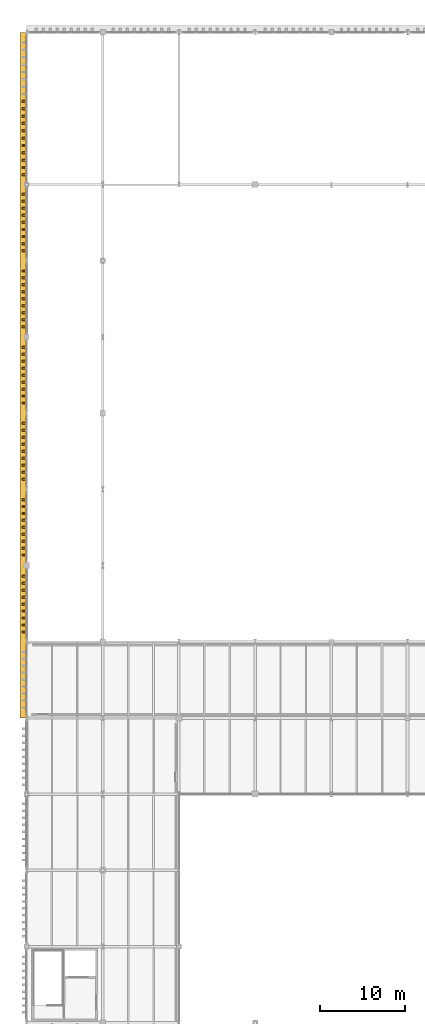
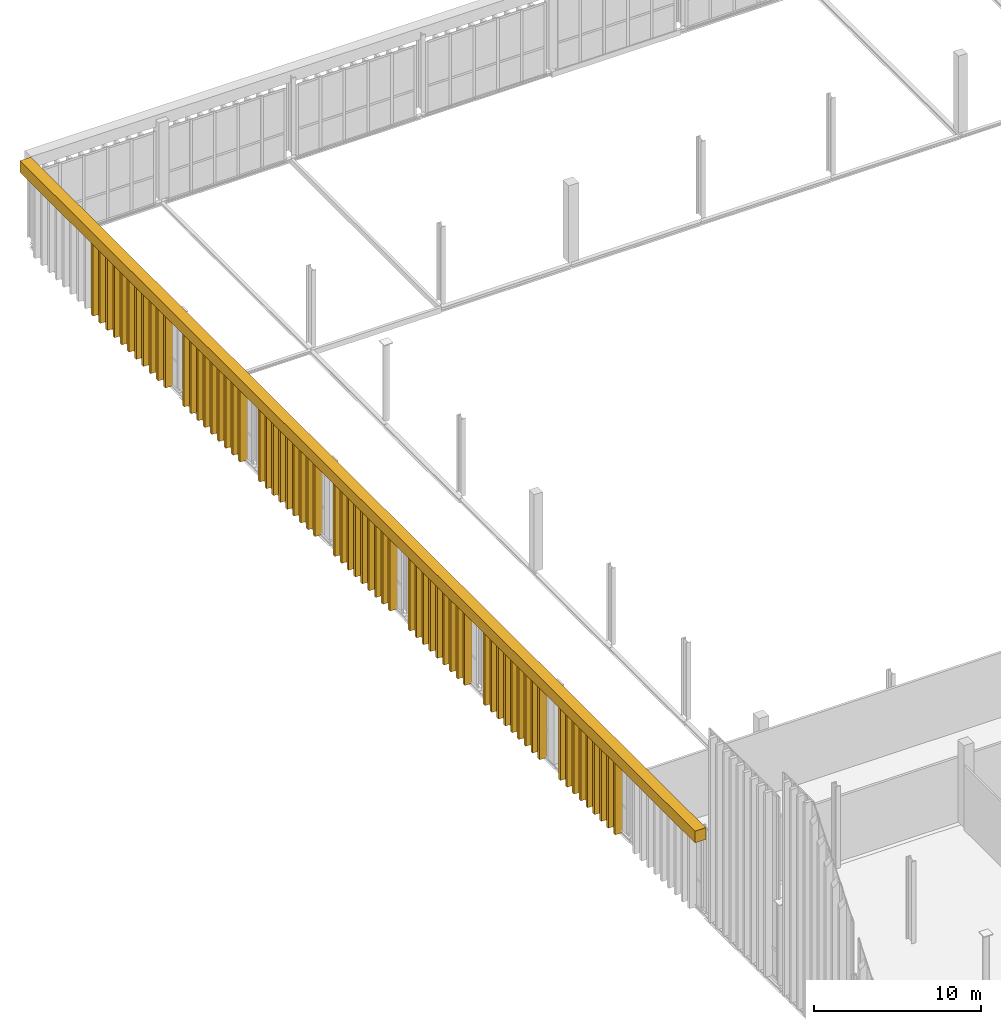
# One storey, part 222 of 237: 65 shading devices, 1 covering.
"""IFC4 building model written with IfcOpenShell, lengths in metres."""

from ifc_helpers import new_model, si_unit, direction, frame, origin, origin_2d, place, context, subcontext, project, spatial, rectangle, extrude, material, layer, layer_set, type_object, element, save


model = new_model("IFC4")

# Units and contexts
model_context = context("Model", 3, precision=1e-05, world=origin(), true_north=direction((0.0, 1.0)))
body_context = subcontext(model_context, "Body", "Model", "MODEL_VIEW")
ifc_project = project(units=[si_unit("LENGTHUNIT", "METRE"), si_unit("AREAUNIT", "SQUARE_METRE"), si_unit("VOLUMEUNIT", "CUBIC_METRE"), si_unit("PLANEANGLEUNIT", "RADIAN"), si_unit("MASSUNIT", "GRAM", prefix="KILO")], contexts=[model_context])

# Site, building, storey
site_placement = place(None, origin())
site = spatial("IfcSite", under=ifc_project, at=site_placement, CompositionType="ELEMENT")
building_placement = place(site_placement, origin())
building = spatial("IfcBuilding", under=site, at=building_placement, Name="Barlavento Convention Centre", CompositionType="ELEMENT")
storey_placement = place(building_placement, frame((0.0, 0.0, 12.0)))
storey = spatial("IfcBuildingStorey", under=building, at=storey_placement, Name="L02", CompositionType="ELEMENT", Elevation=12.0)

# Covering
ifc_material_1 = material(Name="Macau dark grey granite cladding", Category="masonry")
ifc_layer = layer(ifc_material_1, 0.050048828125)
ifc_layer_set = layer_set([ifc_layer], Name="ARC-COV-CLAD-GRANITE")
covering_type = type_object("IfcCoveringType", Name="ARC-COV-CLAD-GRANITE", PredefinedType="CLADDING", material=ifc_layer_set)
covering_placement = place(storey_placement, frame((-0.39990234375, 94.5, 5.125), z_axis=(0.0, 0.0, 1.0), x_axis=(1.0, 0.0, 0.0)))
element("IfcCovering", 1, at=covering_placement, inside=storey, type_object=covering_type, Name="Postmodern stepped stone cornice band CLD01", PredefinedType="CLADDING", context=body_context, shape_type="SweptSolid", body=[
    extrude(rectangle(XDim=0.75, YDim=81.0, at=origin_2d()), origin(), (0.0, 0.0, 1.0), 0.85009765625),
])

# Shading devices
ifc_material_2 = material(Name="PVDF white extruded aluminium", Category="aluminium")
shading_device_type = type_object("IfcShadingDeviceType", Name="ARC-SHD-FIN-480", PredefinedType="USERDEFINED", material=ifc_material_2)
for number, where, z_axis, x_axis, name in (
    (2, (-0.239990234375, 64.164794921875, -0.5), (0.0, 0.0, 1.0), (0.0, 1.0, 0.0), "White vertical solar shading fin VF01"),
    (3, (-0.239990234375, 64.987548828125, -0.5), (0.0, 0.0, 1.0), (0.0, 1.0, 0.0), "White vertical solar shading fin VF01"),
    (4, (-0.239990234375, 65.810302734375, -0.5), (0.0, 0.0, 1.0), (0.0, 1.0, 0.0), "White vertical solar shading fin VF01"),
    (5, (-0.239990234375, 66.63330078125, -0.5), (0.0, 0.0, 1.0), (0.0, 1.0, 0.0), "White vertical solar shading fin VF01"),
    (6, (-0.239990234375, 67.4560546875, -0.5), (0.0, 0.0, 1.0), (0.0, 1.0, 0.0), "White vertical solar shading fin VF01"),
    (7, (-0.239990234375, 68.27880859375, -0.5), (0.0, 0.0, 1.0), (0.0, 1.0, 0.0), "White vertical solar shading fin VF01"),
    (8, (-0.239990234375, 69.1015625, -0.5), (0.0, 0.0, 1.0), (0.0, 1.0, 0.0), "White vertical solar shading fin VF01"),
    (9, (-0.239990234375, 69.92431640625, -0.5), (0.0, 0.0, 1.0), (0.0, 1.0, 0.0), "White vertical solar shading fin VF01"),
    (10, (-0.239990234375, 70.747314453125, -0.5), (0.0, 0.0, 1.0), (0.0, 1.0, 0.0), "White vertical solar shading fin VF01"),
    (11, (-0.239990234375, 73.248046875, -0.5), (0.0, 0.0, 1.0), (0.0, 1.0, 0.0), "White vertical solar shading fin VF01"),
    (12, (-0.239990234375, 74.06591796875, -0.5), (0.0, 0.0, 1.0), (0.0, 1.0, 0.0), "White vertical solar shading fin VF01"),
    (13, (-0.239990234375, 74.884033203125, -0.5), (0.0, 0.0, 1.0), (0.0, 1.0, 0.0), "White vertical solar shading fin VF01"),
    (14, (-0.239990234375, 75.701904296875, -0.5), (0.0, 0.0, 1.0), (0.0, 1.0, 0.0), "White vertical solar shading fin VF01"),
    (15, (-0.239990234375, 76.52001953125, -0.5), (0.0, 0.0, 1.0), (0.0, 1.0, 0.0), "White vertical solar shading fin VF01"),
    (16, (-0.239990234375, 77.337890625, -0.5), (0.0, 0.0, 1.0), (0.0, 1.0, 0.0), "White vertical solar shading fin VF01"),
    (17, (-0.239990234375, 78.156005859375, -0.5), (0.0, 0.0, 1.0), (0.0, 1.0, 0.0), "White vertical solar shading fin VF01"),
    (18, (-0.239990234375, 78.97412109375, -0.5), (0.0, 0.0, 1.0), (0.0, 1.0, 0.0), "White vertical solar shading fin VF01"),
    (19, (-0.239990234375, 79.7919921875, -0.5), (0.0, 0.0, 1.0), (0.0, 1.0, 0.0), "White vertical solar shading fin VF01"),
    (20, (-0.239990234375, 82.212890625, -0.5), (0.0, 0.0, 1.0), (0.0, 1.0, 0.0), "White vertical solar shading fin VF01"),
    (21, (-0.239990234375, 83.035888671875, -0.5), (0.0, 0.0, 1.0), (0.0, 1.0, 0.0), "White vertical solar shading fin VF01"),
    (22, (-0.239990234375, 83.85888671875, -0.5), (0.0, 0.0, 1.0), (0.0, 1.0, 0.0), "White vertical solar shading fin VF01"),
    (23, (-0.239990234375, 84.681884765625, -0.5), (0.0, 0.0, 1.0), (0.0, 1.0, 0.0), "White vertical solar shading fin VF01"),
    (24, (-0.239990234375, 85.5048828125, -0.5), (0.0, 0.0, 1.0), (0.0, 1.0, 0.0), "White vertical solar shading fin VF01"),
    (25, (-0.239990234375, 86.327880859375, -0.5), (0.0, 0.0, 1.0), (0.0, 1.0, 0.0), "White vertical solar shading fin VF01"),
    (26, (-0.239990234375, 87.15087890625, -0.5), (0.0, 0.0, 1.0), (0.0, 1.0, 0.0), "White vertical solar shading fin VF01"),
    (27, (-0.239990234375, 87.97412109375, -0.5), (0.0, 0.0, 1.0), (0.0, 1.0, 0.0), "White vertical solar shading fin VF01"),
    (28, (-0.239990234375, 88.797119140625, -0.5), (0.0, 0.0, 1.0), (0.0, 1.0, 0.0), "White vertical solar shading fin VF01"),
    (29, (-0.239990234375, 91.2041015625, -0.5), (0.0, 0.0, 1.0), (0.0, 1.0, 0.0), "White vertical solar shading fin VF01"),
    (30, (-0.239990234375, 92.028076171875, -0.5), (0.0, 0.0, 1.0), (0.0, 1.0, 0.0), "White vertical solar shading fin VF01"),
    (31, (-0.239990234375, 92.85205078125, -0.5), (0.0, 0.0, 1.0), (0.0, 1.0, 0.0), "White vertical solar shading fin VF01"),
    (32, (-0.239990234375, 93.676025390625, -0.5), (0.0, 0.0, 1.0), (0.0, 1.0, 0.0), "White vertical solar shading fin VF01"),
    (33, (-0.239990234375, 94.5, -0.5), (0.0, 0.0, 1.0), (0.0, 1.0, 0.0), "White vertical solar shading fin VF01"),
    (34, (-0.239990234375, 95.323974609375, -0.5), (0.0, 0.0, 1.0), (0.0, 1.0, 0.0), "White vertical solar shading fin VF01"),
    (35, (-0.239990234375, 96.14794921875, -0.5), (0.0, 0.0, 1.0), (0.0, 1.0, 0.0), "White vertical solar shading fin VF01"),
    (36, (-0.239990234375, 96.971923828125, -0.5), (0.0, 0.0, 1.0), (0.0, 1.0, 0.0), "White vertical solar shading fin VF01"),
    (37, (-0.239990234375, 97.7958984375, -0.5), (0.0, 0.0, 1.0), (0.0, 1.0, 0.0), "White vertical solar shading fin VF01"),
    (38, (-0.239990234375, 100.205322265625, -0.5), (0.0, 0.0, 1.0), (0.0, 1.0, 0.0), "White vertical solar shading fin VF01"),
    (39, (-0.239990234375, 101.03076171875, -0.5), (0.0, 0.0, 1.0), (0.0, 1.0, 0.0), "White vertical solar shading fin VF01"),
    (40, (-0.239990234375, 101.856201171875, -0.5), (0.0, 0.0, 1.0), (0.0, 1.0, 0.0), "White vertical solar shading fin VF01"),
    (41, (-0.239990234375, 102.681640625, -0.5), (0.0, 0.0, 1.0), (0.0, 1.0, 0.0), "White vertical solar shading fin VF01"),
    (42, (-0.239990234375, 103.507080078125, -0.5), (0.0, 0.0, 1.0), (0.0, 1.0, 0.0), "White vertical solar shading fin VF01"),
    (43, (-0.239990234375, 104.33251953125, -0.5), (0.0, 0.0, 1.0), (0.0, 1.0, 0.0), "White vertical solar shading fin VF01"),
    (44, (-0.239990234375, 105.15771484375, -0.5), (0.0, 0.0, 1.0), (0.0, 1.0, 0.0), "White vertical solar shading fin VF01"),
    (45, (-0.239990234375, 105.983154296875, -0.5), (0.0, 0.0, 1.0), (0.0, 1.0, 0.0), "White vertical solar shading fin VF01"),
    (46, (-0.239990234375, 106.80859375, -0.5), (0.0, 0.0, 1.0), (0.0, 1.0, 0.0), "White vertical solar shading fin VF01"),
    (47, (-0.239990234375, 109.201171875, -0.5), (0.0, 0.0, 1.0), (0.0, 1.0, 0.0), "White vertical solar shading fin VF01"),
    (48, (-0.239990234375, 110.0361328125, -0.5), (0.0, 0.0, 1.0), (0.0, 1.0, 0.0), "White vertical solar shading fin VF01"),
    (49, (-0.239990234375, 110.87109375, -0.5), (0.0, 0.0, 1.0), (0.0, 1.0, 0.0), "White vertical solar shading fin VF01"),
    (50, (-0.239990234375, 111.706298828125, -0.5), (0.0, 0.0, 1.0), (0.0, 1.0, 0.0), "White vertical solar shading fin VF01"),
    (51, (-0.239990234375, 112.54150390625, -0.5), (0.0, 0.0, 1.0), (0.0, 1.0, 0.0), "White vertical solar shading fin VF01"),
    (52, (-0.239990234375, 113.37646484375, -0.5), (0.0, 0.0, 1.0), (0.0, 1.0, 0.0), "White vertical solar shading fin VF01"),
    (53, (-0.239990234375, 114.211669921875, -0.5), (0.0, 0.0, 1.0), (0.0, 1.0, 0.0), "White vertical solar shading fin VF01"),
    (54, (-0.239990234375, 115.046630859375, -0.5), (0.0, 0.0, 1.0), (0.0, 1.0, 0.0), "White vertical solar shading fin VF01"),
    (55, (-0.239990234375, 115.881591796875, -0.5), (0.0, 0.0, 1.0), (0.0, 1.0, 0.0), "White vertical solar shading fin VF01"),
    (56, (-0.239990234375, 118.15185546875, -0.5), (0.0, 0.0, 1.0), (0.0, 1.0, 0.0), "White vertical solar shading fin VF01"),
    (57, (-0.239990234375, 119.020751953125, -0.5), (0.0, 0.0, 1.0), (0.0, 1.0, 0.0), "White vertical solar shading fin VF01"),
    (58, (-0.239990234375, 119.889404296875, -0.5), (0.0, 0.0, 1.0), (0.0, 1.0, 0.0), "White vertical solar shading fin VF01"),
    (59, (-0.239990234375, 120.75830078125, -0.5), (0.0, 0.0, 1.0), (0.0, 1.0, 0.0), "White vertical solar shading fin VF01"),
    (60, (-0.239990234375, 121.626953125, -0.5), (0.0, 0.0, 1.0), (0.0, 1.0, 0.0), "White vertical solar shading fin VF01"),
    (61, (-0.239990234375, 122.49560546875, -0.5), (0.0, 0.0, 1.0), (0.0, 1.0, 0.0), "White vertical solar shading fin VF01"),
    (62, (-0.239990234375, 123.364501953125, -0.5), (0.0, 0.0, 1.0), (0.0, 1.0, 0.0), "White vertical solar shading fin VF01"),
    (63, (-0.239990234375, 124.233154296875, -0.5), (0.0, 0.0, 1.0), (0.0, 1.0, 0.0), "White vertical solar shading fin VF01"),
    (64, (-0.239990234375, 125.101806640625, -0.5), (0.0, 0.0, 1.0), (0.0, 1.0, 0.0), "White vertical solar shading fin VF01"),
    (65, (-0.239990234375, 125.970703125, -0.5), (0.0, 0.0, 1.0), (0.0, 1.0, 0.0), "White vertical solar shading fin VF01"),
    (66, (-0.239990234375, 126.83935546875, -0.5), (0.0, 0.0, 1.0), (0.0, 1.0, 0.0), "White vertical solar shading fin VF01"),
):
    element("IfcShadingDevice", number, at=place(storey_placement, frame(where, z_axis=z_axis, x_axis=x_axis)), inside=storey, type_object=shading_device_type, Name=name, ObjectType="FIN", PredefinedType="USERDEFINED", context=body_context, shape_type="SweptSolid", body=[
        extrude(rectangle(XDim=0.219970703125, YDim=0.52001953125, at=origin_2d()), origin(), (0.0, 0.0, 1.0), 5.35009765625),
    ])

save(model, "model.ifc")
